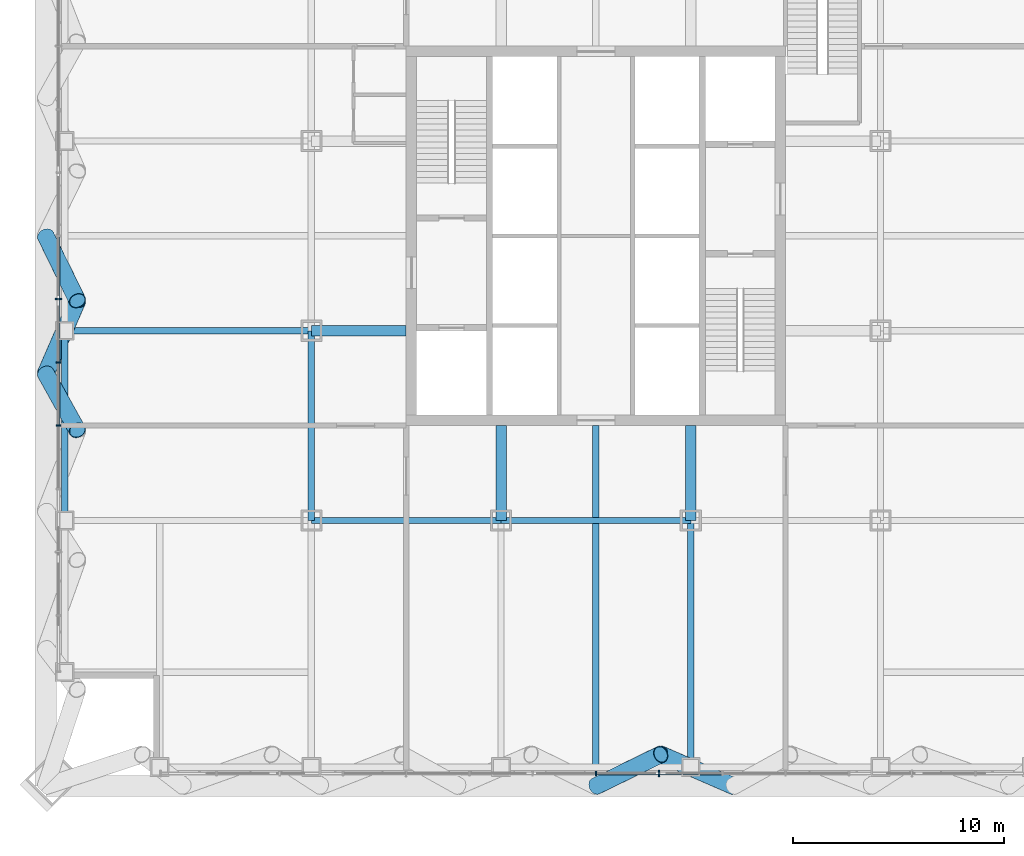
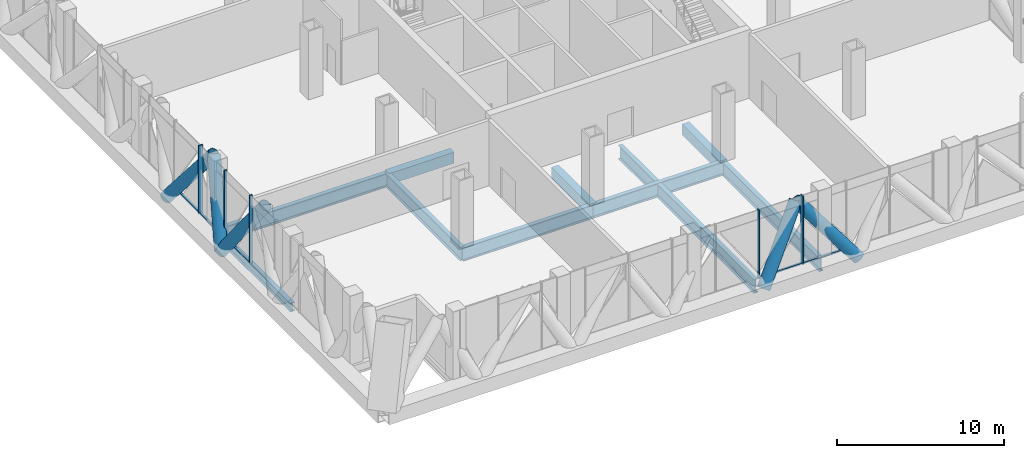
# One storey, part 4 of 26: 15 members, 10 beams, 2 elements without a shape of their own.
"""IFC4 building model written with IfcOpenShell, lengths in metres."""

from ifc_helpers import new_model, si_unit, direction, frame, origin, origin_2d, place, context, subcontext, project, spatial, rectangle, hollow_rectangle, hollow_circle, i_section, extrude, material, layer, layer_set, material_profile, profile_set, type_object, element, aggregate, save


model = new_model("IFC4")

# Units and contexts
model_context = context("Model", 3, precision=1e-05, world=origin(), true_north=direction((0.0, 1.0)))
body_context = subcontext(model_context, "Body", "Model", "MODEL_VIEW")
ifc_project = project(units=[si_unit("LENGTHUNIT", "METRE"), si_unit("AREAUNIT", "SQUARE_METRE"), si_unit("VOLUMEUNIT", "CUBIC_METRE"), si_unit("PLANEANGLEUNIT", "RADIAN"), si_unit("MASSUNIT", "GRAM", prefix="KILO")], contexts=[model_context])

# Site, building, storey
site_placement = place(None, origin())
site = spatial("IfcSite", under=ifc_project, at=site_placement, CompositionType="ELEMENT")
building_placement = place(site_placement, origin())
building = spatial("IfcBuilding", under=site, at=building_placement, Name="Malebo Sky Hospital", CompositionType="ELEMENT")
storey_placement = place(building_placement, frame((0.0, 0.0, 95.0)))
storey = spatial("IfcBuildingStorey", under=building, at=storey_placement, Name="L22", CompositionType="ELEMENT", Elevation=95.0)

# Curtain wall, members
ifc_material_1 = material(Name="Anodised aluminium, natural silver", Category="aluminium")
ifc_layer = layer(ifc_material_1, 0.25)
ifc_layer_set = layer_set([ifc_layer], Name="PLANT LOUVRE SCREEN")
curtain_wall_type = type_object("IfcCurtainWallType", Name="PLANT LOUVRE SCREEN", PredefinedType="NOTDEFINED", material=ifc_layer_set)
curtain_wall_1_placement = place(storey_placement, origin())
curtain_wall_1 = element("IfcCurtainWall", 1, at=curtain_wall_1_placement, inside=storey, type_object=curtain_wall_type, Name="PLANT curtain wall W", PredefinedType="NOTDEFINED")
ifc_material_profile_1 = material_profile(ifc_material_1, rectangle(XDim=0.14990234375, YDim=0.10009765625, at=origin_2d()), Name="ALUMINIUM TRANSOM 150x100")
ifc_profile_set_1 = profile_set([ifc_material_profile_1], Name="Anodised aluminium, natural silver")
member_type_1 = type_object("IfcMemberType", Name="ALUMINIUM TRANSOM 150x100", PredefinedType="USERDEFINED", material=ifc_profile_set_1)
member_1_placement = place(storey_placement, frame((34.5, 53.03759765625, 0.050048828125), z_axis=(0.0, 1.0, 0.0), x_axis=(-1.0, 0.0, 0.0)))
member_1 = element("IfcMember", 2, at=member_1_placement, type_object=member_type_1, Name="Transom 5", ObjectType="TRANSOM", PredefinedType="USERDEFINED", context=body_context, shape_type="SweptSolid", body=[
    extrude(rectangle(XDim=0.14990234375, YDim=0.10009765625, at=origin_2d()), origin(), (0.0, 0.0, 1.0), 2.9248046875),
])
member_2_placement = place(storey_placement, frame((34.5, 56.03759765625, 0.050048828125), z_axis=(0.0, 1.0, 0.0), x_axis=(-1.0, 0.0, 0.0)))
member_2 = element("IfcMember", 3, at=member_2_placement, type_object=member_type_1, Name="Transom 6", ObjectType="TRANSOM", PredefinedType="USERDEFINED", context=body_context, shape_type="SweptSolid", body=[
    extrude(rectangle(XDim=0.14990234375, YDim=0.10009765625, at=origin_2d()), origin(), (0.0, 0.0, 1.0), 2.9248046875),
])
member_3_placement = place(storey_placement, frame((34.5, 59.03759765625, 0.050048828125), z_axis=(0.0, 1.0, 0.0), x_axis=(-1.0, 0.0, 0.0)))
member_3 = element("IfcMember", 4, at=member_3_placement, type_object=member_type_1, Name="Transom 7", ObjectType="TRANSOM", PredefinedType="USERDEFINED", context=body_context, shape_type="SweptSolid", body=[
    extrude(rectangle(XDim=0.14990234375, YDim=0.10009765625, at=origin_2d()), origin(), (0.0, 0.0, 1.0), 2.9248046875),
])

curtain_wall_2_placement = place(storey_placement, origin())
curtain_wall_2 = element("IfcCurtainWall", 5, at=curtain_wall_2_placement, inside=storey, type_object=curtain_wall_type, Name="PLANT curtain wall S", PredefinedType="NOTDEFINED")
member_4_placement = place(storey_placement, frame((65.96240234375, 36.5, 0.050048828125), z_axis=(-1.0, 0.0, 0.0), x_axis=(0.0, -1.0, 0.0)))
member_4 = element("IfcMember", 6, at=member_4_placement, type_object=member_type_1, Name="Transom 6", ObjectType="TRANSOM", PredefinedType="USERDEFINED", context=body_context, shape_type="SweptSolid", body=[
    extrude(rectangle(XDim=0.14990234375, YDim=0.10009765625, at=origin_2d()), origin(), (0.0, 0.0, 1.0), 2.9248046875),
])
member_5_placement = place(storey_placement, frame((62.96240234375, 36.5, 0.050048828125), z_axis=(-1.0, 0.0, 0.0), x_axis=(0.0, -1.0, 0.0)))
member_5 = element("IfcMember", 7, at=member_5_placement, type_object=member_type_1, Name="Transom 7", ObjectType="TRANSOM", PredefinedType="USERDEFINED", context=body_context, shape_type="SweptSolid", body=[
    extrude(rectangle(XDim=0.14990234375, YDim=0.10009765625, at=origin_2d()), origin(), (0.0, 0.0, 1.0), 2.9248046875),
])

# Members
ifc_material_2 = material(Name="Steel S460", Category="steel")
ifc_material_profile_2 = material_profile(ifc_material_2, hollow_circle(Radius=0.406494140625, WallThickness=0.030029296875, at=origin_2d()), Name="CHS 813x30")
ifc_profile_set_2 = profile_set([ifc_material_profile_2], Name="Steel S460")
member_type_2 = type_object("IfcMemberType", Name="BELT TRUSS DIAGONAL CHS 813x30", PredefinedType="BRACE", material=ifc_profile_set_2)
member_6_placement = place(storey_placement, frame((60.0, 35.89990234375, -0.39990234375), z_axis=(0.547812589262, 0.26722989666, 0.792773327867), x_axis=(-0.438429255686, 0.898765702371, 0.0)))
element("IfcMember", 8, at=member_6_placement, inside=storey, type_object=member_type_2, Name="Belt truss diagonal S5.1 L22", PredefinedType="BRACE", context=body_context, shape_type="SweptSolid", body=[
    extrude(hollow_circle(Radius=0.406494140625, WallThickness=0.030029296875, at=origin_2d()), origin(), (0.0, 0.0, 1.0), 5.613037109375),
])
member_7_placement = place(storey_placement, frame((63.074951171875, 37.39990234375, 4.050048828125), z_axis=(0.592060400775, -0.257421208857, -0.763674540013), x_axis=(0.398730857498, 0.917067992724, 0.0)))
element("IfcMember", 9, at=member_7_placement, inside=storey, type_object=member_type_2, Name="Belt truss diagonal S5.2 L22", PredefinedType="BRACE", context=body_context, shape_type="SweptSolid", body=[
    extrude(hollow_circle(Radius=0.406494140625, WallThickness=0.030029296875, at=origin_2d()), origin(), (0.0, 0.0, 1.0), 5.826904296875),
])
member_8_placement = place(storey_placement, frame((33.89990234375, 62.0, -0.39990234375), z_axis=(0.26722989666, -0.547812589262, 0.792773327867), x_axis=(0.898765702371, 0.438429255686, 0.0)))
element("IfcMember", 10, at=member_8_placement, inside=storey, type_object=member_type_2, Name="Belt truss diagonal W5.1 L22", PredefinedType="BRACE", context=body_context, shape_type="SweptSolid", body=[
    extrude(hollow_circle(Radius=0.406494140625, WallThickness=0.030029296875, at=origin_2d()), origin(), (0.0, 0.0, 1.0), 5.613037109375),
])
member_9_placement = place(storey_placement, frame((35.39990234375, 58.925048828125, 4.050048828125), z_axis=(-0.257421208857, -0.592060400775, -0.763674540013), x_axis=(0.917067992724, -0.398730857498, 0.0)))
element("IfcMember", 11, at=member_9_placement, inside=storey, type_object=member_type_2, Name="Belt truss diagonal W5.2 L22", PredefinedType="BRACE", context=body_context, shape_type="SweptSolid", body=[
    extrude(hollow_circle(Radius=0.406494140625, WallThickness=0.030029296875, at=origin_2d()), origin(), (0.0, 0.0, 1.0), 5.826904296875),
])
member_10_placement = place(storey_placement, frame((33.89990234375, 55.47509765625, -0.39990234375), z_axis=(0.276909664245, -0.498473451586, 0.821489656606), x_axis=(0.874172188743, 0.48561608749, 0.0)))
element("IfcMember", 12, at=member_10_placement, inside=storey, type_object=member_type_2, Name="Belt truss diagonal W6.1 L22", PredefinedType="BRACE", context=body_context, shape_type="SweptSolid", body=[
    extrude(hollow_circle(Radius=0.406494140625, WallThickness=0.030029296875, at=origin_2d()), origin(), (0.0, 0.0, 1.0), 5.4169921875),
])

# Member
ifc_material_profile_3 = material_profile(ifc_material_1, rectangle(XDim=0.074951171875, YDim=0.199951171875, at=origin_2d()), Name="CW5 ALUMINIUM FIN MULLION 75x200")
ifc_profile_set_3 = profile_set([ifc_material_profile_3], Name="Anodised aluminium, natural silver")
member_type_3 = type_object("IfcMemberType", Name="CW5 ALUMINIUM FIN MULLION 75x200", PredefinedType="MULLION", material=ifc_profile_set_3)
member_11_placement = place(storey_placement, frame((34.5, 53.0, 0.0), z_axis=(0.0, 0.0, 1.0), x_axis=(0.0, 1.0, 0.0)))
member_11 = element("IfcMember", 13, at=member_11_placement, type_object=member_type_3, Name="Fin mullion 5", PredefinedType="MULLION", context=body_context, shape_type="SweptSolid", body=[
    extrude(rectangle(XDim=0.074951171875, YDim=0.199951171875, at=origin_2d()), origin(), (0.0, 0.0, 1.0), 5.0),
])

member_12_placement = place(storey_placement, frame((34.5, 56.0, 0.0), z_axis=(0.0, 0.0, 1.0), x_axis=(0.0, 1.0, 0.0)))
member_12 = element("IfcMember", 14, at=member_12_placement, type_object=member_type_3, Name="Fin mullion 6", PredefinedType="MULLION", context=body_context, shape_type="SweptSolid", body=[
    extrude(rectangle(XDim=0.074951171875, YDim=0.199951171875, at=origin_2d()), origin(), (0.0, 0.0, 1.0), 5.0),
])

member_13_placement = place(storey_placement, frame((60.0, 36.5, 0.0), z_axis=(0.0, 0.0, 1.0), x_axis=(-1.0, 0.0, 0.0)))
member_13 = element("IfcMember", 15, at=member_13_placement, type_object=member_type_3, Name="Fin mullion 8", PredefinedType="MULLION", context=body_context, shape_type="SweptSolid", body=[
    extrude(rectangle(XDim=0.074951171875, YDim=0.199951171875, at=origin_2d()), origin(), (0.0, 0.0, 1.0), 5.0),
])

ifc_material_profile_4 = material_profile(ifc_material_1, rectangle(XDim=0.074951171875, YDim=0.300048828125, at=origin_2d()), Name="CW5 ALUMINIUM FIN MULLION 75x300")
ifc_profile_set_4 = profile_set([ifc_material_profile_4], Name="Anodised aluminium, natural silver")
member_type_4 = type_object("IfcMemberType", Name="CW5 ALUMINIUM FIN MULLION 75x300", PredefinedType="MULLION", material=ifc_profile_set_4)
member_14_placement = place(storey_placement, frame((34.5, 59.0, 0.0), z_axis=(0.0, 0.0, 1.0), x_axis=(0.0, 1.0, 0.0)))
member_14 = element("IfcMember", 16, at=member_14_placement, type_object=member_type_4, Name="Fin mullion 7", PredefinedType="MULLION", context=body_context, shape_type="SweptSolid", body=[
    extrude(rectangle(XDim=0.074951171875, YDim=0.300048828125, at=origin_2d()), origin(), (0.0, 0.0, 1.0), 5.0),
])

aggregate(curtain_wall_1, [member_11, member_12, member_14, member_1, member_2, member_3])

member_15_placement = place(storey_placement, frame((63.0, 36.5, 0.0), z_axis=(0.0, 0.0, 1.0), x_axis=(-1.0, 0.0, 0.0)))
member_15 = element("IfcMember", 17, at=member_15_placement, type_object=member_type_4, Name="Fin mullion 7", PredefinedType="MULLION", context=body_context, shape_type="SweptSolid", body=[
    extrude(rectangle(XDim=0.074951171875, YDim=0.300048828125, at=origin_2d()), origin(), (0.0, 0.0, 1.0), 5.0),
])

aggregate(curtain_wall_2, [member_15, member_13, member_4, member_5])

# Beams
ifc_material_3 = material(Name="Steel S355", Category="steel")
ifc_material_profile_5 = material_profile(ifc_material_3, i_section(OverallWidth=0.304931640625, OverallDepth=0.6201171875, WebThickness=0.02099609375, FlangeThickness=0.0400390625, FilletRadius=0.027099609375, at=origin_2d()), Name="HEM 600")
ifc_profile_set_5 = profile_set([ifc_material_profile_5], Name="Steel S355")
beam_type_1 = type_object("IfcBeamType", Name="EDGE BEAM HEM 600", PredefinedType="BEAM", material=ifc_profile_set_5)
beam_1_placement = place(storey_placement, frame((34.800048828125, 48.5, -0.56005859375), z_axis=(0.0, 1.0, 0.0), x_axis=(-1.0, 0.0, 0.0)))
element("IfcBeam", 18, at=beam_1_placement, inside=storey, type_object=beam_type_1, Name="Beam 001 L22", PredefinedType="BEAM", context=body_context, shape_type="SweptSolid", body=[
    extrude(i_section(OverallWidth=0.304931640625, OverallDepth=0.6201171875, WebThickness=0.02099609375, FlangeThickness=0.0400390625, FilletRadius=0.027099609375, at=origin_2d()), origin(), (0.0, 0.0, 1.0), 9.0),
])
ifc_material_profile_6 = material_profile(ifc_material_3, i_section(OverallWidth=0.300048828125, OverallDepth=1.0, WebThickness=0.01904296875, FlangeThickness=0.035888671875, FilletRadius=0.030029296875, at=origin_2d()), Name="HEB 1000")
ifc_profile_set_6 = profile_set([ifc_material_profile_6], Name="Steel S355")
beam_type_2 = type_object("IfcBeamType", Name="FLOOR BEAM HEB 1000", PredefinedType="BEAM", material=ifc_profile_set_6)
beam_2_placement = place(storey_placement, frame((46.5, 48.5, -0.75), z_axis=(0.0, 1.0, 0.0), x_axis=(-1.0, 0.0, 0.0)))
element("IfcBeam", 19, at=beam_2_placement, inside=storey, type_object=beam_type_2, Name="Beam 008 L22", PredefinedType="BEAM", context=body_context, shape_type="SweptSolid", body=[
    extrude(i_section(OverallWidth=0.300048828125, OverallDepth=1.0, WebThickness=0.01904296875, FlangeThickness=0.035888671875, FilletRadius=0.030029296875, at=origin_2d()), origin(), (0.0, 0.0, 1.0), 9.0),
])
beam_3_placement = place(storey_placement, frame((60.0, 36.800048828125, -0.75), z_axis=(0.0, 1.0, 0.0), x_axis=(-1.0, 0.0, 0.0)))
element("IfcBeam", 20, at=beam_3_placement, inside=storey, type_object=beam_type_2, Name="Beam 016 L22", PredefinedType="BEAM", context=body_context, shape_type="SweptSolid", body=[
    extrude(i_section(OverallWidth=0.300048828125, OverallDepth=1.0, WebThickness=0.01904296875, FlangeThickness=0.035888671875, FilletRadius=0.030029296875, at=origin_2d()), origin(), (0.0, 0.0, 1.0), 16.199951171875),
])
beam_4_placement = place(storey_placement, frame((64.5, 36.800048828125, -0.75), z_axis=(0.0, 1.0, 0.0), x_axis=(-1.0, 0.0, 0.0)))
element("IfcBeam", 21, at=beam_4_placement, inside=storey, type_object=beam_type_2, Name="Beam 018 L22", PredefinedType="BEAM", context=body_context, shape_type="SweptSolid", body=[
    extrude(i_section(OverallWidth=0.300048828125, OverallDepth=1.0, WebThickness=0.01904296875, FlangeThickness=0.035888671875, FilletRadius=0.030029296875, at=origin_2d()), origin(), (0.0, 0.0, 1.0), 11.699951171875),
])
beam_5_placement = place(storey_placement, frame((46.5, 48.5, -0.75), z_axis=(1.0, 0.0, 0.0), x_axis=(0.0, 1.0, 0.0)))
element("IfcBeam", 22, at=beam_5_placement, inside=storey, type_object=beam_type_2, Name="Beam 042 L22", PredefinedType="BEAM", context=body_context, shape_type="SweptSolid", body=[
    extrude(i_section(OverallWidth=0.300048828125, OverallDepth=1.0, WebThickness=0.01904296875, FlangeThickness=0.035888671875, FilletRadius=0.030029296875, at=origin_2d()), origin(), (0.0, 0.0, 1.0), 9.0),
])
beam_6_placement = place(storey_placement, frame((34.800048828125, 57.5, -0.75), z_axis=(1.0, 0.0, 0.0), x_axis=(0.0, 1.0, 0.0)))
element("IfcBeam", 23, at=beam_6_placement, inside=storey, type_object=beam_type_2, Name="Beam 046 L22", PredefinedType="BEAM", context=body_context, shape_type="SweptSolid", body=[
    extrude(i_section(OverallWidth=0.300048828125, OverallDepth=1.0, WebThickness=0.01904296875, FlangeThickness=0.035888671875, FilletRadius=0.030029296875, at=origin_2d()), origin(), (0.0, 0.0, 1.0), 11.699951171875),
])
ifc_material_profile_7 = material_profile(ifc_material_2, hollow_rectangle(XDim=0.5, YDim=0.800048828125, WallThickness=0.0400390625, at=origin_2d()), Name="BOX 800x500x40")
ifc_profile_set_7 = profile_set([ifc_material_profile_7], Name="Steel S460")
beam_type_3 = type_object("IfcBeamType", Name="LINK BEAM BOX 800x500x40", PredefinedType="BEAM", material=ifc_profile_set_7)
for number, where, z_axis, x_axis, name in (
    (24, (55.5, 48.5, -0.64990234375), (0.0, 1.0, 0.0), (-1.0, 0.0, 0.0), "Beam 013 L22"),
    (25, (64.5, 48.5, -0.64990234375), (0.0, 1.0, 0.0), (-1.0, 0.0, 0.0), "Beam 019 L22"),
    (26, (46.5, 57.5, -0.64990234375), (1.0, 0.0, 0.0), (0.0, 1.0, 0.0), "Beam 047 L22"),
):
    element("IfcBeam", number, at=place(storey_placement, frame(where, z_axis=z_axis, x_axis=x_axis)), inside=storey, type_object=beam_type_3, Name=name, PredefinedType="BEAM", context=body_context, shape_type="SweptSolid", body=[
        extrude(hollow_rectangle(XDim=0.5, YDim=0.800048828125, WallThickness=0.0400390625, at=origin_2d()), origin(), (0.0, 0.0, 1.0), 4.5),
    ])
ifc_material_profile_8 = material_profile(ifc_material_3, i_section(OverallWidth=0.300048828125, OverallDepth=1.0, WebThickness=0.01904296875, FlangeThickness=0.035888671875, FilletRadius=0.030029296875, at=origin_2d()), Name="HEB 1000")
ifc_profile_set_8 = profile_set([ifc_material_profile_8], Name="Steel S355")
beam_type_4 = type_object("IfcBeamType", Name="RING GIRDER HEB 1000", PredefinedType="BEAM", material=ifc_profile_set_8)
beam_7_placement = place(storey_placement, frame((55.5, 48.5, -0.75), z_axis=(1.0, 0.0, 0.0), x_axis=(0.0, 1.0, 0.0)))
element("IfcBeam", 27, at=beam_7_placement, inside=storey, type_object=beam_type_4, Name="Beam 043 L22", PredefinedType="BEAM", context=body_context, shape_type="SweptSolid", body=[
    extrude(i_section(OverallWidth=0.300048828125, OverallDepth=1.0, WebThickness=0.01904296875, FlangeThickness=0.035888671875, FilletRadius=0.030029296875, at=origin_2d()), origin(), (0.0, 0.0, 1.0), 9.0),
])

save(model, "model.ifc")
